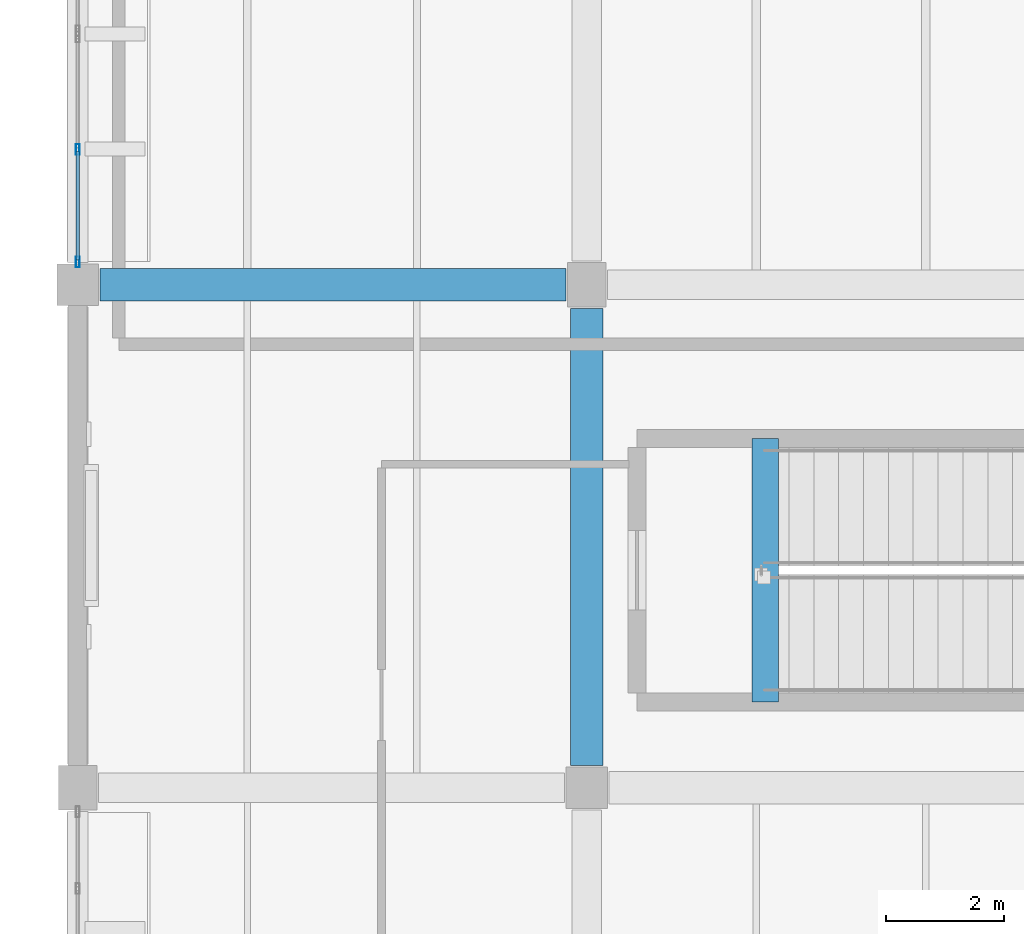
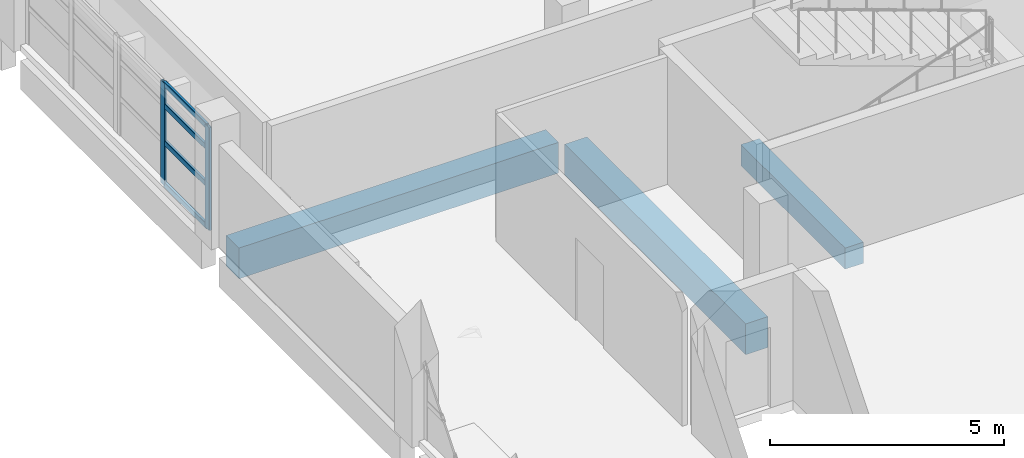
# One storey, part 14 of 75: 6 members, 3 beams, 1 element without a shape of its own.
"""IFC4 building model written with IfcOpenShell, lengths in metres."""

from ifc_helpers import new_model, si_unit, direction, frame, origin, origin_2d, place, context, subcontext, project, spatial, rectangle, hollow_rectangle, extrude, material, material_profile, profile_set, type_object, element, aggregate, save


model = new_model("IFC4")

# Units and contexts
model_context = context("Model", 3, precision=1e-05, world=origin(), true_north=direction((0.0, 1.0)))
body_context = subcontext(model_context, "Body", "Model", "MODEL_VIEW")
ifc_project = project(units=[si_unit("LENGTHUNIT", "METRE"), si_unit("AREAUNIT", "SQUARE_METRE"), si_unit("VOLUMEUNIT", "CUBIC_METRE"), si_unit("PLANEANGLEUNIT", "RADIAN"), si_unit("MASSUNIT", "GRAM", prefix="KILO")], contexts=[model_context])

# Site, building, storey
site_placement = place(None, origin())
site = spatial("IfcSite", under=ifc_project, at=site_placement, CompositionType="ELEMENT")
building_placement = place(site_placement, origin())
building = spatial("IfcBuilding", under=site, at=building_placement, Name="Varnakota Cinema and Media Centre", CompositionType="ELEMENT")
storey_placement = place(building_placement, frame((0.0, 0.0, 8.39990234375)))
storey = spatial("IfcBuildingStorey", under=building, at=storey_placement, Name="L02", CompositionType="ELEMENT", Elevation=8.39990234375)

# Beams
ifc_material_1 = material(Name="Concrete M40", Category="concrete")
ifc_material_profile_1 = material_profile(ifc_material_1, rectangle(XDim=0.449951171875, YDim=0.550048828125, at=origin_2d()), Name="RCB 450x550")
ifc_profile_set_1 = profile_set([ifc_material_profile_1], Name="Concrete M40")
beam_type_1 = type_object("IfcBeamType", Name="BM-RC-450x550", PredefinedType="BEAM", material=ifc_profile_set_1)
beam_1_placement = place(storey_placement, frame((11.6201171875, 45.449951171875, -0.27490234375), z_axis=(0.0, 1.0, 0.0), x_axis=(-1.0, 0.0, 0.0)))
element("IfcBeam", 1, at=beam_1_placement, inside=storey, type_object=beam_type_1, Name="L02 ST-03 stair arrival trimmer beam", PredefinedType="BEAM", context=body_context, shape_type="SweptSolid", body=[
    extrude(rectangle(XDim=0.449951171875, YDim=0.550048828125, at=origin_2d()), origin(), (0.0, 0.0, 1.0), 4.449951171875),
])
ifc_material_2 = material(Name="Concrete M35", Category="concrete")
ifc_material_profile_2 = material_profile(ifc_material_2, rectangle(XDim=0.550048828125, YDim=0.800048828125, at=origin_2d()), Name="RCB 550x800")
ifc_profile_set_2 = profile_set([ifc_material_profile_2], Name="Concrete M35")
beam_type_2 = type_object("IfcBeamType", Name="BM-RC-550x800", PredefinedType="BEAM", material=ifc_profile_set_2)
beam_2_placement = place(storey_placement, frame((0.375, 52.5, -0.64990234375), z_axis=(1.0, 0.0, 0.0), x_axis=(0.0, 1.0, 0.0)))
element("IfcBeam", 2, at=beam_2_placement, inside=storey, type_object=beam_type_2, Name="L02 girder A-B/7", PredefinedType="BEAM", context=body_context, shape_type="SweptSolid", body=[
    extrude(rectangle(XDim=0.550048828125, YDim=0.800048828125, at=origin_2d()), origin(), (0.0, 0.0, 1.0), 7.875),
])
beam_3_placement = place(storey_placement, frame((8.60009765625, 44.375, -0.64990234375), z_axis=(0.0, 1.0, 0.0), x_axis=(-1.0, 0.0, 0.0)))
element("IfcBeam", 3, at=beam_3_placement, inside=storey, type_object=beam_type_2, Name="L02 girder B/6-7", PredefinedType="BEAM", context=body_context, shape_type="SweptSolid", body=[
    extrude(rectangle(XDim=0.550048828125, YDim=0.800048828125, at=origin_2d()), origin(), (0.0, 0.0, 1.0), 7.72509765625),
])

# Curtain wall, members
ifc_material_3 = material(Name="Thermally broken anodised aluminium AW-6063", Category="aluminium")
curtain_wall_type = type_object("IfcCurtainWallType", Name="CW-STD-387x268", PredefinedType="USERDEFINED", material=ifc_material_3)
curtain_wall_placement = place(storey_placement, origin())
curtain_wall = element("IfcCurtainWall", 4, at=curtain_wall_placement, inside=storey, type_object=curtain_wall_type, Name="L02 curtain wall CW-L02-V5-W-03-2", ObjectType="UNITISED CURTAIN WALL", PredefinedType="USERDEFINED")
ifc_material_4 = material(Name="Thermally broken anodised aluminium AW-6063", Category="aluminium")
ifc_material_profile_3 = material_profile(ifc_material_4, hollow_rectangle(XDim=0.06494140625, YDim=0.179931640625, WallThickness=0.00390625, InnerFilletRadius=0.00390625, OuterFilletRadius=0.008056640625, at=origin_2d()), Name="AL-MULLION 180x65x4")
ifc_profile_set_3 = profile_set([ifc_material_profile_3], Name="Thermally broken anodised aluminium AW-6063")
member_type_1 = type_object("IfcMemberType", Name="CWM-AL-180", PredefinedType="MULLION", material=ifc_profile_set_3)
member_1_placement = place(storey_placement, frame((0.0, 54.78369140625, 0.0), z_axis=(0.0, 0.0, 1.0), x_axis=(1.0, 0.0, 0.0)))
member_1 = element("IfcMember", 5, at=member_1_placement, type_object=member_type_1, Name="CW39 mullion 2", PredefinedType="MULLION", context=body_context, shape_type="SweptSolid", body=[
    extrude(hollow_rectangle(XDim=0.06494140625, YDim=0.179931640625, WallThickness=0.00390625, InnerFilletRadius=0.00390625, OuterFilletRadius=0.008056640625, at=origin_2d()), origin(), (0.0, 0.0, 1.0), 2.675048828125),
])
member_2_placement = place(storey_placement, frame((0.0, 52.882568359375, 0.0), z_axis=(0.0, 0.0, 1.0), x_axis=(1.0, 0.0, 0.0)))
member_2 = element("IfcMember", 6, at=member_2_placement, type_object=member_type_1, Name="CW39 mullion 3", PredefinedType="MULLION", context=body_context, shape_type="SweptSolid", body=[
    extrude(hollow_rectangle(XDim=0.06494140625, YDim=0.179931640625, WallThickness=0.00390625, InnerFilletRadius=0.00390625, OuterFilletRadius=0.008056640625, at=origin_2d()), origin(), (0.0, 0.0, 1.0), 2.675048828125),
])
ifc_material_5 = material(Name="Thermally broken anodised aluminium AW-6063", Category="aluminium")
ifc_material_profile_4 = material_profile(ifc_material_5, hollow_rectangle(XDim=0.06494140625, YDim=0.139892578125, WallThickness=0.00390625, InnerFilletRadius=0.00390625, OuterFilletRadius=0.008056640625, at=origin_2d()), Name="AL-TRANSOM 140x65x4")
ifc_profile_set_4 = profile_set([ifc_material_profile_4], Name="Thermally broken anodised aluminium AW-6063")
member_type_2 = type_object("IfcMemberType", Name="CWT-AL-140", PredefinedType="USERDEFINED", material=ifc_profile_set_4)
member_3_placement = place(storey_placement, frame((0.0, 54.751220703125, 0.03271484375), z_axis=(0.0, -1.0, 0.0), x_axis=(1.0, 0.0, 0.0)))
member_3 = element("IfcMember", 7, at=member_3_placement, type_object=member_type_2, Name="CW39 transom 2.1", ObjectType="TRANSOM", PredefinedType="USERDEFINED", context=body_context, shape_type="SweptSolid", body=[
    extrude(hollow_rectangle(XDim=0.06494140625, YDim=0.139892578125, WallThickness=0.00390625, InnerFilletRadius=0.00390625, OuterFilletRadius=0.008056640625, at=origin_2d()), origin(), (0.0, 0.0, 1.0), 1.836181640625),
])
member_4_placement = place(storey_placement, frame((0.0, 54.751220703125, 1.12353515625), z_axis=(0.0, -1.0, 0.0), x_axis=(1.0, 0.0, 0.0)))
member_4 = element("IfcMember", 8, at=member_4_placement, type_object=member_type_2, Name="CW39 transom 2.2", ObjectType="TRANSOM", PredefinedType="USERDEFINED", context=body_context, shape_type="SweptSolid", body=[
    extrude(hollow_rectangle(XDim=0.06494140625, YDim=0.139892578125, WallThickness=0.00390625, InnerFilletRadius=0.00390625, OuterFilletRadius=0.008056640625, at=origin_2d()), origin(), (0.0, 0.0, 1.0), 1.836181640625),
])
member_5_placement = place(storey_placement, frame((0.0, 54.751220703125, 2.086669921875), z_axis=(0.0, -1.0, 0.0), x_axis=(1.0, 0.0, 0.0)))
member_5 = element("IfcMember", 9, at=member_5_placement, type_object=member_type_2, Name="CW39 transom 2.3", ObjectType="TRANSOM", PredefinedType="USERDEFINED", context=body_context, shape_type="SweptSolid", body=[
    extrude(hollow_rectangle(XDim=0.06494140625, YDim=0.139892578125, WallThickness=0.00390625, InnerFilletRadius=0.00390625, OuterFilletRadius=0.008056640625, at=origin_2d()), origin(), (0.0, 0.0, 1.0), 1.836181640625),
])
member_6_placement = place(storey_placement, frame((0.0, 54.751220703125, 2.642578125), z_axis=(0.0, -1.0, 0.0), x_axis=(1.0, 0.0, 0.0)))
member_6 = element("IfcMember", 10, at=member_6_placement, type_object=member_type_2, Name="CW39 transom 2.4", ObjectType="TRANSOM", PredefinedType="USERDEFINED", context=body_context, shape_type="SweptSolid", body=[
    extrude(hollow_rectangle(XDim=0.06494140625, YDim=0.139892578125, WallThickness=0.00390625, InnerFilletRadius=0.00390625, OuterFilletRadius=0.008056640625, at=origin_2d()), origin(), (0.0, 0.0, 1.0), 1.836181640625),
])
aggregate(curtain_wall, [member_1, member_2, member_3, member_4, member_5, member_6])

save(model, "model.ifc")
